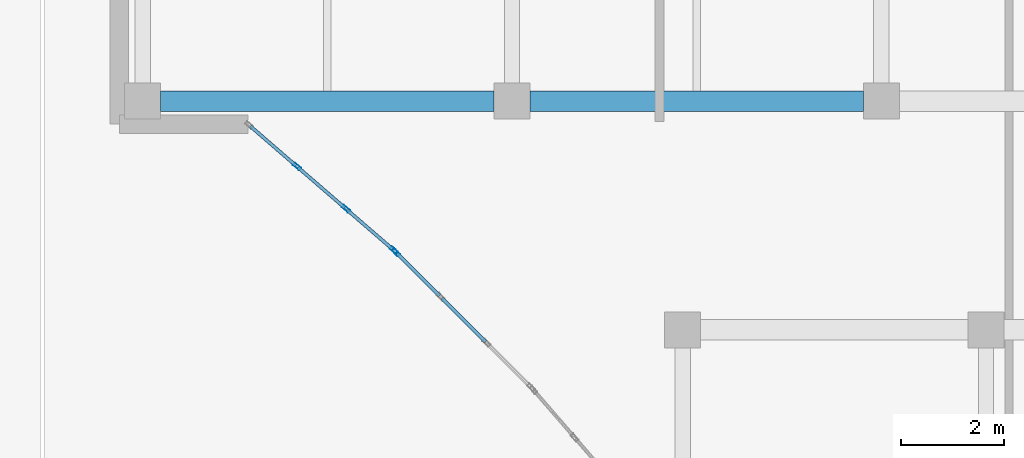
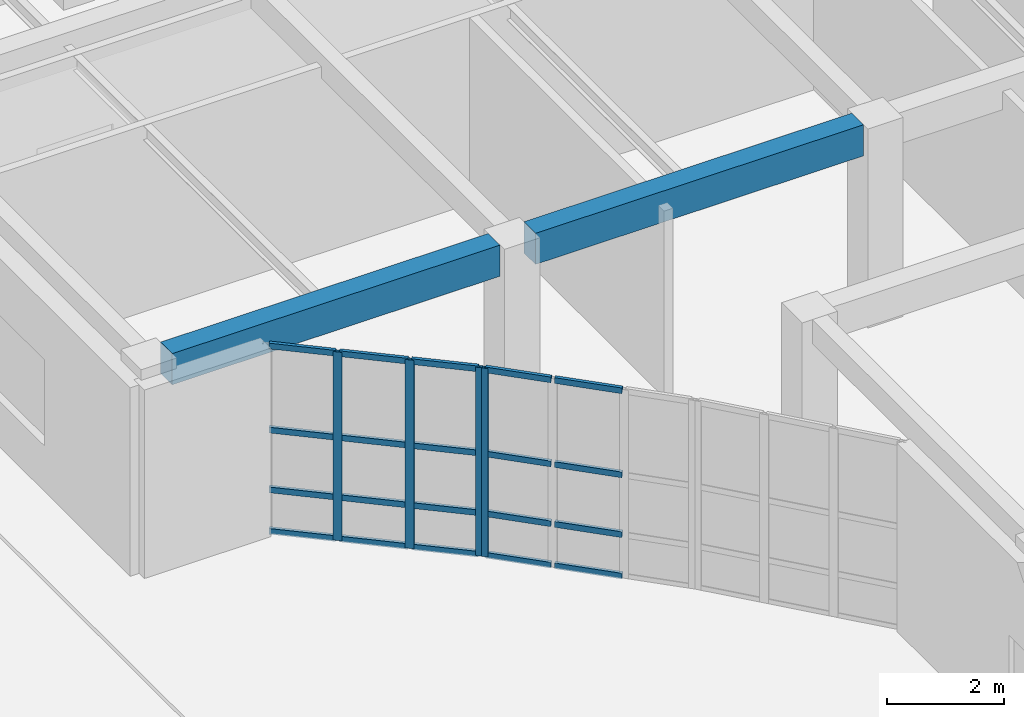
# One storey, part 38 of 114: 24 members, 2 beams, 2 elements without a shape of their own.
"""IFC4 building model written with IfcOpenShell, lengths in metres."""

from ifc_helpers import new_model, si_unit, direction, frame, origin, origin_2d, place, context, subcontext, project, spatial, rectangle, hollow_rectangle, extrude, material, layer, layer_set, material_profile, profile_set, type_object, element, aggregate, save


model = new_model("IFC4")

# Units and contexts
model_context = context("Model", 3, precision=1e-05, world=origin(), true_north=direction((0.0, 1.0)))
body_context = subcontext(model_context, "Body", "Model", "MODEL_VIEW")
ifc_project = project(units=[si_unit("LENGTHUNIT", "METRE"), si_unit("AREAUNIT", "SQUARE_METRE"), si_unit("VOLUMEUNIT", "CUBIC_METRE"), si_unit("PLANEANGLEUNIT", "RADIAN"), si_unit("MASSUNIT", "GRAM", prefix="KILO")], contexts=[model_context])

# Site, building, storey
site_placement = place(None, origin())
site = spatial("IfcSite", under=ifc_project, at=site_placement, CompositionType="ELEMENT")
building_placement = place(site_placement, origin())
building = spatial("IfcBuilding", under=site, at=building_placement, Name="Keldmere Railside Commons", CompositionType="ELEMENT")
storey_placement = place(building_placement, origin())
storey = spatial("IfcBuildingStorey", under=building, at=storey_placement, Name="L00", CompositionType="ELEMENT", Elevation=0.0)

# Beams
ifc_material_1 = material(Name="Concrete H-30 (C30/37)", Category="concrete")
ifc_material_profile_1 = material_profile(ifc_material_1, rectangle(XDim=0.39990234375, YDim=0.64990234375, at=origin_2d()), Name="RC-400x650")
ifc_profile_set_1 = profile_set([ifc_material_profile_1], Name="Concrete H-30 (C30/37)")
beam_type = type_object("IfcBeamType", Name="Residential Spine RC Girder 400x650", PredefinedType="BEAM", material=ifc_profile_set_1)
beam_1_placement = place(storey_placement, frame((94.300048828125, 100.449951171875, 3.8349609375), z_axis=(1.0, 0.0, 0.0), x_axis=(0.0, 1.0, 0.0)))
element("IfcBeam", 1, at=beam_1_placement, inside=storey, type_object=beam_type, Name="BG-3 BM-L00-0503", PredefinedType="BEAM", context=body_context, shape_type="SweptSolid", body=[
    extrude(rectangle(XDim=0.39990234375, YDim=0.64990234375, at=origin_2d()), origin(), (0.0, 0.0, 1.0), 6.48291015625),
])
beam_2_placement = place(storey_placement, frame((101.48291015625, 100.449951171875, 3.8349609375), z_axis=(1.0, 0.0, 0.0), x_axis=(0.0, 1.0, 0.0)))
element("IfcBeam", 2, at=beam_2_placement, inside=storey, type_object=beam_type, Name="BG-3 BM-L00-0504", PredefinedType="BEAM", context=body_context, shape_type="SweptSolid", body=[
    extrude(rectangle(XDim=0.39990234375, YDim=0.64990234375, at=origin_2d()), origin(), (0.0, 0.0, 1.0), 6.484130859375),
])

# Curtain wall, members
ifc_material_2 = material(Name="Thermally Broken Aluminium", Category="aluminium")
ifc_layer_1 = layer(ifc_material_2, 0.159912109375, Name="Residential Ground Entrance Lobby CW 4000x3600")
ifc_layer_set_1 = layer_set([ifc_layer_1], Name="Thermally Broken Aluminium")
curtain_wall_type_1 = type_object("IfcCurtainWallType", Name="Residential Ground Entrance Lobby CW 4000x3600", PredefinedType="NOTDEFINED", material=ifc_layer_set_1)
curtain_wall_1_placement = place(storey_placement, origin())
curtain_wall_1 = element("IfcCurtainWall", 3, at=curtain_wall_1_placement, inside=storey, type_object=curtain_wall_type_1, Name="CW-10 CW-L00-088", PredefinedType="NOTDEFINED")
ifc_material_profile_2 = material_profile(ifc_material_2, hollow_rectangle(XDim=0.06494140625, YDim=0.159912109375, WallThickness=0.00390625, at=origin_2d()), Name="ALU-MULL-65x160")
ifc_profile_set_2 = profile_set([ifc_material_profile_2], Name="Thermally Broken Aluminium")
member_type_1 = type_object("IfcMemberType", Name="Unitised Curtain Wall Mullion 65x160", PredefinedType="MULLION", material=ifc_profile_set_2)
member_1_placement = place(storey_placement, frame((98.83349609375, 97.55126953125, 0.0), z_axis=(0.0, 0.0, 1.0), x_axis=(-0.653881741053, -0.756596767584, 0.0)))
member_1 = element("IfcMember", 4, at=member_1_placement, type_object=member_type_1, Name="CW-10 mullion 1", PredefinedType="MULLION", context=body_context, shape_type="SweptSolid", body=[
    extrude(hollow_rectangle(XDim=0.06494140625, YDim=0.159912109375, WallThickness=0.00390625, at=origin_2d()), origin(), (0.0, 0.0, 1.0), 3.93994140625),
])
member_2_placement = place(storey_placement, frame((97.9052734375, 98.353271484375, 0.0), z_axis=(0.0, 0.0, 1.0), x_axis=(-0.653881741053, -0.756596767584, 0.0)))
member_2 = element("IfcMember", 5, at=member_2_placement, type_object=member_type_1, Name="CW-10 mullion 2", PredefinedType="MULLION", context=body_context, shape_type="SweptSolid", body=[
    extrude(hollow_rectangle(XDim=0.06494140625, YDim=0.159912109375, WallThickness=0.00390625, at=origin_2d()), origin(), (0.0, 0.0, 1.0), 3.93994140625),
])
member_3_placement = place(storey_placement, frame((96.95263671875, 99.1767578125, 0.0), z_axis=(0.0, 0.0, 1.0), x_axis=(-0.653881741053, -0.756596767584, 0.0)))
member_3 = element("IfcMember", 6, at=member_3_placement, type_object=member_type_1, Name="CW-10 mullion 3", PredefinedType="MULLION", context=body_context, shape_type="SweptSolid", body=[
    extrude(hollow_rectangle(XDim=0.06494140625, YDim=0.159912109375, WallThickness=0.00390625, at=origin_2d()), origin(), (0.0, 0.0, 1.0), 3.93994140625),
])

# Curtain wall, member
ifc_layer_2 = layer(ifc_material_2, 0.159912109375, Name="Residential Lounge Frontage CW 4600x3600")
ifc_layer_set_2 = layer_set([ifc_layer_2], Name="Thermally Broken Aluminium")
curtain_wall_type_2 = type_object("IfcCurtainWallType", Name="Residential Lounge Frontage CW 4600x3600", PredefinedType="NOTDEFINED", material=ifc_layer_set_2)
curtain_wall_2_placement = place(storey_placement, origin())
curtain_wall_2 = element("IfcCurtainWall", 7, at=curtain_wall_2_placement, inside=storey, type_object=curtain_wall_type_2, Name="CW-11 CW-L00-089", PredefinedType="NOTDEFINED")
member_4_placement = place(storey_placement, frame((98.880859375, 97.507080078125, 0.0), z_axis=(0.0, 0.0, 1.0), x_axis=(-0.707106781187, -0.707106781187, 0.0)))
member_4 = element("IfcMember", 8, at=member_4_placement, type_object=member_type_1, Name="CW-11 mullion 4", PredefinedType="MULLION", context=body_context, shape_type="SweptSolid", body=[
    extrude(hollow_rectangle(XDim=0.06494140625, YDim=0.159912109375, WallThickness=0.00390625, at=origin_2d()), origin(), (0.0, 0.0, 1.0), 3.93994140625),
])

# Member
ifc_material_profile_3 = material_profile(ifc_material_2, hollow_rectangle(XDim=0.06494140625, YDim=0.1201171875, WallThickness=0.00390625, at=origin_2d()), Name="ALU-TRAN-65x120")
ifc_profile_set_3 = profile_set([ifc_material_profile_3], Name="Thermally Broken Aluminium")
member_type_2 = type_object("IfcMemberType", Name="Unitised Curtain Wall Transom 65x120", PredefinedType="USERDEFINED", material=ifc_profile_set_3)
member_5_placement = place(storey_placement, frame((98.808837890625, 97.572509765625, 0.032470703125), z_axis=(-0.756624489527, 0.653849663033, 0.0), x_axis=(-0.653849663033, -0.756624489527, 0.0)))
member_5 = element("IfcMember", 9, at=member_5_placement, type_object=member_type_2, Name="CW-10 transom 1.1", ObjectType="TRANSOM", PredefinedType="USERDEFINED", context=body_context, shape_type="SweptSolid", body=[
    extrude(hollow_rectangle(XDim=0.06494140625, YDim=0.1201171875, WallThickness=0.00390625, at=origin_2d()), origin(), (0.0, 0.0, 1.0), 1.16162109375),
])

member_6_placement = place(storey_placement, frame((98.808837890625, 97.572509765625, 0.89990234375), z_axis=(-0.756624489527, 0.653849663033, 0.0), x_axis=(-0.653849663033, -0.756624489527, 0.0)))
member_6 = element("IfcMember", 10, at=member_6_placement, type_object=member_type_2, Name="CW-10 transom 1.2", ObjectType="TRANSOM", PredefinedType="USERDEFINED", context=body_context, shape_type="SweptSolid", body=[
    extrude(hollow_rectangle(XDim=0.06494140625, YDim=0.1201171875, WallThickness=0.00390625, at=origin_2d()), origin(), (0.0, 0.0, 1.0), 1.16162109375),
])

member_7_placement = place(storey_placement, frame((98.808837890625, 97.572509765625, 2.14990234375), z_axis=(-0.756624489527, 0.653849663033, 0.0), x_axis=(-0.653849663033, -0.756624489527, 0.0)))
member_7 = element("IfcMember", 11, at=member_7_placement, type_object=member_type_2, Name="CW-10 transom 1.3", ObjectType="TRANSOM", PredefinedType="USERDEFINED", context=body_context, shape_type="SweptSolid", body=[
    extrude(hollow_rectangle(XDim=0.06494140625, YDim=0.1201171875, WallThickness=0.00390625, at=origin_2d()), origin(), (0.0, 0.0, 1.0), 1.16162109375),
])

member_8_placement = place(storey_placement, frame((98.808837890625, 97.572509765625, 3.907470703125), z_axis=(-0.756624489527, 0.653849663033, 0.0), x_axis=(-0.653849663033, -0.756624489527, 0.0)))
member_8 = element("IfcMember", 12, at=member_8_placement, type_object=member_type_2, Name="CW-10 transom 1.4", ObjectType="TRANSOM", PredefinedType="USERDEFINED", context=body_context, shape_type="SweptSolid", body=[
    extrude(hollow_rectangle(XDim=0.06494140625, YDim=0.1201171875, WallThickness=0.00390625, at=origin_2d()), origin(), (0.0, 0.0, 1.0), 1.16162109375),
])

member_9_placement = place(storey_placement, frame((97.880859375, 98.37451171875, 0.032470703125), z_axis=(-0.756551755881, 0.653933819796, 0.0), x_axis=(-0.653933819796, -0.756551755881, 0.0)))
member_9 = element("IfcMember", 13, at=member_9_placement, type_object=member_type_2, Name="CW-10 transom 2.1", ObjectType="TRANSOM", PredefinedType="USERDEFINED", context=body_context, shape_type="SweptSolid", body=[
    extrude(hollow_rectangle(XDim=0.06494140625, YDim=0.1201171875, WallThickness=0.00390625, at=origin_2d()), origin(), (0.0, 0.0, 1.0), 1.1943359375),
])

member_10_placement = place(storey_placement, frame((97.880859375, 98.37451171875, 0.89990234375), z_axis=(-0.756551755881, 0.653933819796, 0.0), x_axis=(-0.653933819796, -0.756551755881, 0.0)))
member_10 = element("IfcMember", 14, at=member_10_placement, type_object=member_type_2, Name="CW-10 transom 2.2", ObjectType="TRANSOM", PredefinedType="USERDEFINED", context=body_context, shape_type="SweptSolid", body=[
    extrude(hollow_rectangle(XDim=0.06494140625, YDim=0.1201171875, WallThickness=0.00390625, at=origin_2d()), origin(), (0.0, 0.0, 1.0), 1.1943359375),
])

member_11_placement = place(storey_placement, frame((97.880859375, 98.37451171875, 2.14990234375), z_axis=(-0.756551755881, 0.653933819796, 0.0), x_axis=(-0.653933819796, -0.756551755881, 0.0)))
member_11 = element("IfcMember", 15, at=member_11_placement, type_object=member_type_2, Name="CW-10 transom 2.3", ObjectType="TRANSOM", PredefinedType="USERDEFINED", context=body_context, shape_type="SweptSolid", body=[
    extrude(hollow_rectangle(XDim=0.06494140625, YDim=0.1201171875, WallThickness=0.00390625, at=origin_2d()), origin(), (0.0, 0.0, 1.0), 1.1943359375),
])

member_12_placement = place(storey_placement, frame((97.880859375, 98.37451171875, 3.907470703125), z_axis=(-0.756551755881, 0.653933819796, 0.0), x_axis=(-0.653933819796, -0.756551755881, 0.0)))
member_12 = element("IfcMember", 16, at=member_12_placement, type_object=member_type_2, Name="CW-10 transom 2.4", ObjectType="TRANSOM", PredefinedType="USERDEFINED", context=body_context, shape_type="SweptSolid", body=[
    extrude(hollow_rectangle(XDim=0.06494140625, YDim=0.1201171875, WallThickness=0.00390625, at=origin_2d()), origin(), (0.0, 0.0, 1.0), 1.1943359375),
])

member_13_placement = place(storey_placement, frame((96.927978515625, 99.197998046875, 0.032470703125), z_axis=(-0.756624489527, 0.653849663033, 0.0), x_axis=(-0.653849663033, -0.756624489527, 0.0)))
member_13 = element("IfcMember", 17, at=member_13_placement, type_object=member_type_2, Name="CW-10 transom 3.1", ObjectType="TRANSOM", PredefinedType="USERDEFINED", context=body_context, shape_type="SweptSolid", body=[
    extrude(hollow_rectangle(XDim=0.06494140625, YDim=0.1201171875, WallThickness=0.00390625, at=origin_2d()), origin(), (0.0, 0.0, 1.0), 1.16162109375),
])

member_14_placement = place(storey_placement, frame((96.927978515625, 99.197998046875, 0.89990234375), z_axis=(-0.756624489527, 0.653849663033, 0.0), x_axis=(-0.653849663033, -0.756624489527, 0.0)))
member_14 = element("IfcMember", 18, at=member_14_placement, type_object=member_type_2, Name="CW-10 transom 3.2", ObjectType="TRANSOM", PredefinedType="USERDEFINED", context=body_context, shape_type="SweptSolid", body=[
    extrude(hollow_rectangle(XDim=0.06494140625, YDim=0.1201171875, WallThickness=0.00390625, at=origin_2d()), origin(), (0.0, 0.0, 1.0), 1.16162109375),
])

member_15_placement = place(storey_placement, frame((96.927978515625, 99.197998046875, 2.14990234375), z_axis=(-0.756624489527, 0.653849663033, 0.0), x_axis=(-0.653849663033, -0.756624489527, 0.0)))
member_15 = element("IfcMember", 19, at=member_15_placement, type_object=member_type_2, Name="CW-10 transom 3.3", ObjectType="TRANSOM", PredefinedType="USERDEFINED", context=body_context, shape_type="SweptSolid", body=[
    extrude(hollow_rectangle(XDim=0.06494140625, YDim=0.1201171875, WallThickness=0.00390625, at=origin_2d()), origin(), (0.0, 0.0, 1.0), 1.16162109375),
])

member_16_placement = place(storey_placement, frame((96.927978515625, 99.197998046875, 3.907470703125), z_axis=(-0.756624489527, 0.653849663033, 0.0), x_axis=(-0.653849663033, -0.756624489527, 0.0)))
member_16 = element("IfcMember", 20, at=member_16_placement, type_object=member_type_2, Name="CW-10 transom 3.4", ObjectType="TRANSOM", PredefinedType="USERDEFINED", context=body_context, shape_type="SweptSolid", body=[
    extrude(hollow_rectangle(XDim=0.06494140625, YDim=0.1201171875, WallThickness=0.00390625, at=origin_2d()), origin(), (0.0, 0.0, 1.0), 1.16162109375),
])

aggregate(curtain_wall_1, [member_1, member_2, member_3, member_5, member_6, member_7, member_8, member_9, member_10, member_11, member_12, member_13, member_14, member_15, member_16])

member_17_placement = place(storey_placement, frame((100.616455078125, 95.771728515625, 0.032470703125), z_axis=(-0.707106781187, 0.707106781187, 0.0), x_axis=(-0.707106781187, -0.707106781187, 0.0)))
member_17 = element("IfcMember", 21, at=member_17_placement, type_object=member_type_2, Name="CW-11 transom 2.1", ObjectType="TRANSOM", PredefinedType="USERDEFINED", context=body_context, shape_type="SweptSolid", body=[
    extrude(hollow_rectangle(XDim=0.06494140625, YDim=0.1201171875, WallThickness=0.00390625, at=origin_2d()), origin(), (0.0, 0.0, 1.0), 1.194580078125),
])

member_18_placement = place(storey_placement, frame((100.616455078125, 95.771728515625, 0.89990234375), z_axis=(-0.707106781187, 0.707106781187, 0.0), x_axis=(-0.707106781187, -0.707106781187, 0.0)))
member_18 = element("IfcMember", 22, at=member_18_placement, type_object=member_type_2, Name="CW-11 transom 2.2", ObjectType="TRANSOM", PredefinedType="USERDEFINED", context=body_context, shape_type="SweptSolid", body=[
    extrude(hollow_rectangle(XDim=0.06494140625, YDim=0.1201171875, WallThickness=0.00390625, at=origin_2d()), origin(), (0.0, 0.0, 1.0), 1.194580078125),
])

member_19_placement = place(storey_placement, frame((100.616455078125, 95.771728515625, 2.14990234375), z_axis=(-0.707106781187, 0.707106781187, 0.0), x_axis=(-0.707106781187, -0.707106781187, 0.0)))
member_19 = element("IfcMember", 23, at=member_19_placement, type_object=member_type_2, Name="CW-11 transom 2.3", ObjectType="TRANSOM", PredefinedType="USERDEFINED", context=body_context, shape_type="SweptSolid", body=[
    extrude(hollow_rectangle(XDim=0.06494140625, YDim=0.1201171875, WallThickness=0.00390625, at=origin_2d()), origin(), (0.0, 0.0, 1.0), 1.194580078125),
])

member_20_placement = place(storey_placement, frame((100.616455078125, 95.771728515625, 3.907470703125), z_axis=(-0.707106781187, 0.707106781187, 0.0), x_axis=(-0.707106781187, -0.707106781187, 0.0)))
member_20 = element("IfcMember", 24, at=member_20_placement, type_object=member_type_2, Name="CW-11 transom 2.4", ObjectType="TRANSOM", PredefinedType="USERDEFINED", context=body_context, shape_type="SweptSolid", body=[
    extrude(hollow_rectangle(XDim=0.06494140625, YDim=0.1201171875, WallThickness=0.00390625, at=origin_2d()), origin(), (0.0, 0.0, 1.0), 1.194580078125),
])

member_21_placement = place(storey_placement, frame((99.7255859375, 96.662353515625, 0.032470703125), z_axis=(-0.707001721121, 0.707211825645, 0.0), x_axis=(-0.707211825645, -0.707001721121, 0.0)))
member_21 = element("IfcMember", 25, at=member_21_placement, type_object=member_type_2, Name="CW-11 transom 3.1", ObjectType="TRANSOM", PredefinedType="USERDEFINED", context=body_context, shape_type="SweptSolid", body=[
    extrude(hollow_rectangle(XDim=0.06494140625, YDim=0.1201171875, WallThickness=0.00390625, at=origin_2d()), origin(), (0.0, 0.0, 1.0), 1.162109375),
])

member_22_placement = place(storey_placement, frame((99.7255859375, 96.662353515625, 0.89990234375), z_axis=(-0.707001721121, 0.707211825645, 0.0), x_axis=(-0.707211825645, -0.707001721121, 0.0)))
member_22 = element("IfcMember", 26, at=member_22_placement, type_object=member_type_2, Name="CW-11 transom 3.2", ObjectType="TRANSOM", PredefinedType="USERDEFINED", context=body_context, shape_type="SweptSolid", body=[
    extrude(hollow_rectangle(XDim=0.06494140625, YDim=0.1201171875, WallThickness=0.00390625, at=origin_2d()), origin(), (0.0, 0.0, 1.0), 1.162109375),
])

member_23_placement = place(storey_placement, frame((99.7255859375, 96.662353515625, 2.14990234375), z_axis=(-0.707001721121, 0.707211825645, 0.0), x_axis=(-0.707211825645, -0.707001721121, 0.0)))
member_23 = element("IfcMember", 27, at=member_23_placement, type_object=member_type_2, Name="CW-11 transom 3.3", ObjectType="TRANSOM", PredefinedType="USERDEFINED", context=body_context, shape_type="SweptSolid", body=[
    extrude(hollow_rectangle(XDim=0.06494140625, YDim=0.1201171875, WallThickness=0.00390625, at=origin_2d()), origin(), (0.0, 0.0, 1.0), 1.162109375),
])

member_24_placement = place(storey_placement, frame((99.7255859375, 96.662353515625, 3.907470703125), z_axis=(-0.707001721121, 0.707211825645, 0.0), x_axis=(-0.707211825645, -0.707001721121, 0.0)))
member_24 = element("IfcMember", 28, at=member_24_placement, type_object=member_type_2, Name="CW-11 transom 3.4", ObjectType="TRANSOM", PredefinedType="USERDEFINED", context=body_context, shape_type="SweptSolid", body=[
    extrude(hollow_rectangle(XDim=0.06494140625, YDim=0.1201171875, WallThickness=0.00390625, at=origin_2d()), origin(), (0.0, 0.0, 1.0), 1.162109375),
])

aggregate(curtain_wall_2, [member_4, member_17, member_18, member_19, member_20, member_21, member_22, member_23, member_24])

save(model, "model.ifc")
